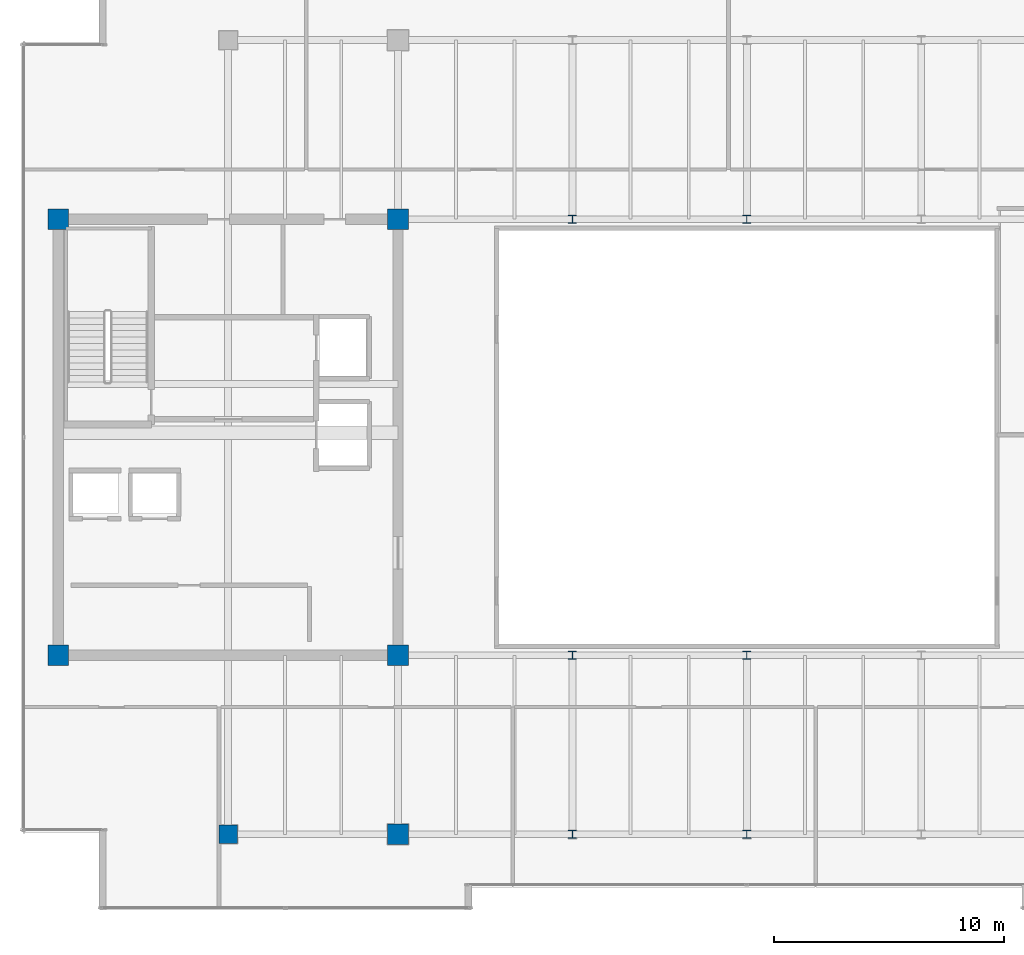
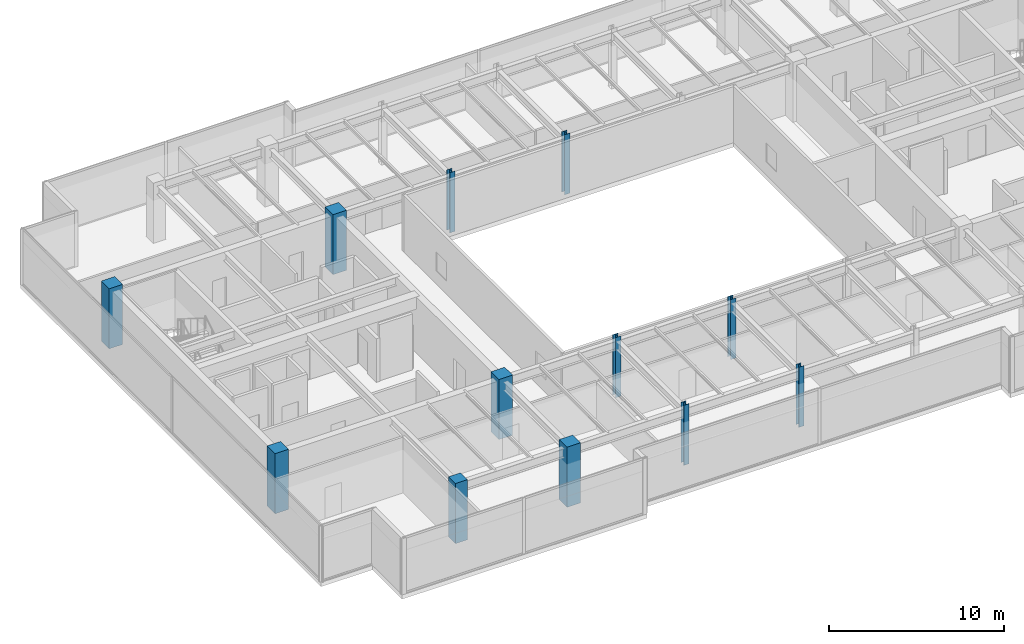
# One storey, part 1 of 34: 12 columns.
"""IFC4 building model written with IfcOpenShell, lengths in metres."""

from ifc_helpers import new_model, si_unit, direction, frame, origin, origin_2d, place, context, subcontext, project, spatial, rectangle, i_section, extrude, source, transform, mapped, material, material_profile, profile_set, type_object, type_shapes, element, save


model = new_model("IFC4")

# Units and contexts
model_context = context("Model", 3, precision=1e-05, world=origin(), true_north=direction((0.0, 1.0)))
body_context = subcontext(model_context, "Body", "Model", "MODEL_VIEW")
ifc_project = project(units=[si_unit("LENGTHUNIT", "METRE"), si_unit("AREAUNIT", "SQUARE_METRE"), si_unit("VOLUMEUNIT", "CUBIC_METRE"), si_unit("PLANEANGLEUNIT", "RADIAN"), si_unit("MASSUNIT", "GRAM", prefix="KILO")], contexts=[model_context])

# Site, building, storey
site_placement = place(None, origin())
site = spatial("IfcSite", under=ifc_project, at=site_placement, CompositionType="ELEMENT")
building_placement = place(site_placement, origin())
building = spatial("IfcBuilding", under=site, at=building_placement, Name="Haelvirn Gate Laboratories", CompositionType="ELEMENT")
storey_placement = place(building_placement, frame((0.0, 0.0, 322.800048828125)))
storey = spatial("IfcBuildingStorey", under=building, at=storey_placement, Name="L77", CompositionType="ELEMENT", Elevation=322.800048828125)

# Columns
ifc_material_1 = material(Name="Concrete C50/60", Category="concrete")
ifc_material_profile_1 = material_profile(ifc_material_1, rectangle(XDim=0.800048828125, YDim=0.800048828125, at=origin_2d()), Name="RC-800x800")
ifc_profile_set_1 = profile_set([ifc_material_profile_1], Name="Concrete C50/60")
column_type_1 = type_object("IfcColumnType", Name="COL-RC-800", PredefinedType="COLUMN", material=ifc_profile_set_1)
shared_shape_1 = source(origin(), body_context, "Body", "SweptSolid", [
    extrude(rectangle(XDim=0.800048828125, YDim=0.800048828125, at=origin_2d()), origin(), (0.0, 0.0, 1.0), 4.199951171875),
])
type_shapes(column_type_1, [shared_shape_1])
column_placement = place(storey_placement, frame((14.800048828125, 7.0, 0.0), z_axis=(0.0, 0.0, 1.0), x_axis=(1.0, 0.0, 0.0)))
element("IfcColumn", 1, at=column_placement, inside=storey, type_object=column_type_1, Name="L77 Column 3B", PredefinedType="COLUMN", context=body_context, shape_type="MappedRepresentation", body=[
    mapped(shared_shape_1, transform((0.0, 0.0, 0.0), scale=1.0)),
])
ifc_material_profile_2 = material_profile(ifc_material_1, rectangle(XDim=0.89990234375, YDim=0.89990234375, at=origin_2d()), Name="RC-900x900")
ifc_profile_set_2 = profile_set([ifc_material_profile_2], Name="Concrete C50/60")
column_type_2 = type_object("IfcColumnType", Name="COL-RC-900", PredefinedType="COLUMN", material=ifc_profile_set_2)
shared_shape_2 = source(origin(), body_context, "Body", "SweptSolid", [
    extrude(rectangle(XDim=0.89990234375, YDim=0.89990234375, at=origin_2d()), origin(), (0.0, 0.0, 1.0), 4.199951171875),
])
type_shapes(column_type_2, [shared_shape_2])
for number, where, z_axis, x_axis, name in (
    (2, (22.199951171875, 7.0, 0.0), (0.0, 0.0, 1.0), (1.0, 0.0, 0.0), "L77 Column 4B"),
    (3, (7.39990234375, 14.800048828125, 0.0), (0.0, 0.0, 1.0), (1.0, 0.0, 0.0), "L77 Column 2C"),
    (4, (22.199951171875, 14.800048828125, 0.0), (0.0, 0.0, 1.0), (1.0, 0.0, 0.0), "L77 Column 4C"),
    (5, (7.39990234375, 33.800048828125, 0.0), (0.0, 0.0, 1.0), (1.0, 0.0, 0.0), "L77 Column 2F"),
    (6, (22.199951171875, 33.800048828125, 0.0), (0.0, 0.0, 1.0), (1.0, 0.0, 0.0), "L77 Column 4F"),
):
    element("IfcColumn", number, at=place(storey_placement, frame(where, z_axis=z_axis, x_axis=x_axis)), inside=storey, type_object=column_type_2, Name=name, PredefinedType="COLUMN", context=body_context, shape_type="MappedRepresentation", body=[
        mapped(shared_shape_2, transform((0.0, 0.0, 0.0), scale=1.0)),
    ])
ifc_material_2 = material(Name="Steel SM355", Category="steel")
ifc_material_profile_3 = material_profile(ifc_material_2, i_section(OverallWidth=0.35009765625, OverallDepth=0.35009765625, WebThickness=0.011962890625, FlangeThickness=0.01904296875, at=origin_2d()), Name="H-350x350x12x19")
ifc_profile_set_3 = profile_set([ifc_material_profile_3], Name="Steel SM355")
column_type_3 = type_object("IfcColumnType", Name="COL-H-350", PredefinedType="COLUMN", material=ifc_profile_set_3)
shared_shape_3 = source(origin(), body_context, "Body", "SweptSolid", [
    extrude(i_section(OverallWidth=0.35009765625, OverallDepth=0.35009765625, WebThickness=0.011962890625, FlangeThickness=0.01904296875, at=origin_2d()), origin(), (0.0, 0.0, 1.0), 4.199951171875),
])
type_shapes(column_type_3, [shared_shape_3])
for number, where, z_axis, x_axis, name in (
    (7, (29.800048828125, 7.0, 0.0), (0.0, 0.0, 1.0), (1.0, 0.0, 0.0), "L77 Column 5B"),
    (8, (29.800048828125, 14.800048828125, 0.0), (0.0, 0.0, 1.0), (1.0, 0.0, 0.0), "L77 Column 5C"),
    (9, (29.800048828125, 33.800048828125, 0.0), (0.0, 0.0, 1.0), (1.0, 0.0, 0.0), "L77 Column 5F"),
    (10, (37.39990234375, 7.0, 0.0), (0.0, 0.0, 1.0), (1.0, 0.0, 0.0), "L77 Column 6B"),
    (11, (37.39990234375, 14.800048828125, 0.0), (0.0, 0.0, 1.0), (1.0, 0.0, 0.0), "L77 Column 6C"),
    (12, (37.39990234375, 33.800048828125, 0.0), (0.0, 0.0, 1.0), (1.0, 0.0, 0.0), "L77 Column 6F"),
):
    element("IfcColumn", number, at=place(storey_placement, frame(where, z_axis=z_axis, x_axis=x_axis)), inside=storey, type_object=column_type_3, Name=name, PredefinedType="COLUMN", context=body_context, shape_type="MappedRepresentation", body=[
        mapped(shared_shape_3, transform((0.0, 0.0, 0.0), scale=1.0)),
    ])

save(model, "model.ifc")
